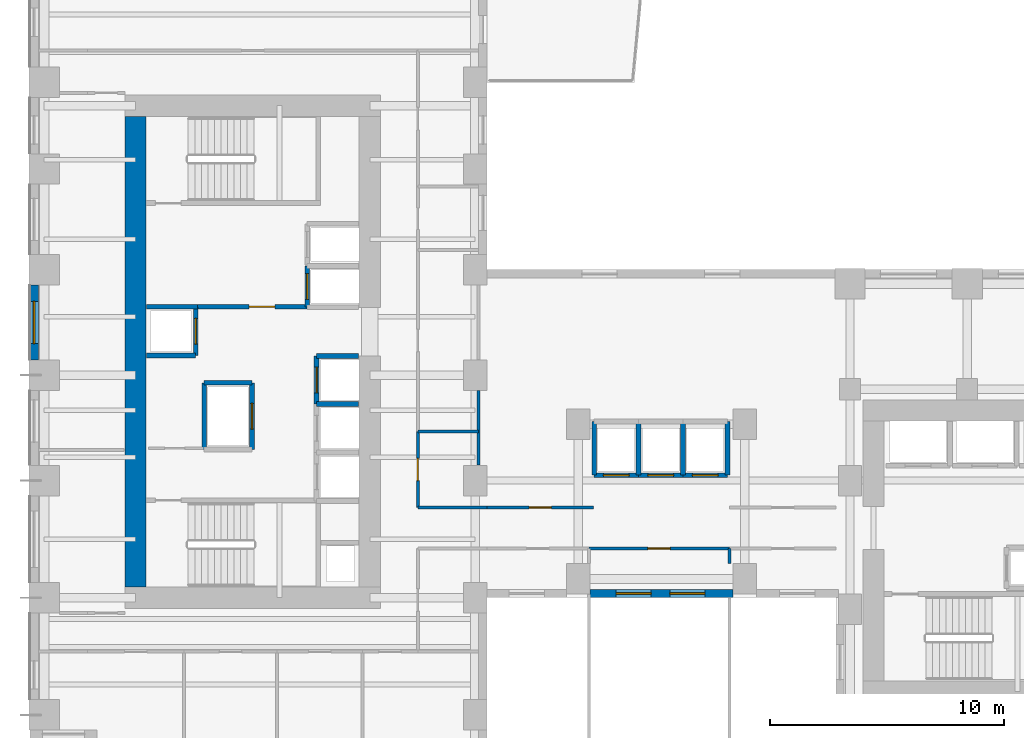
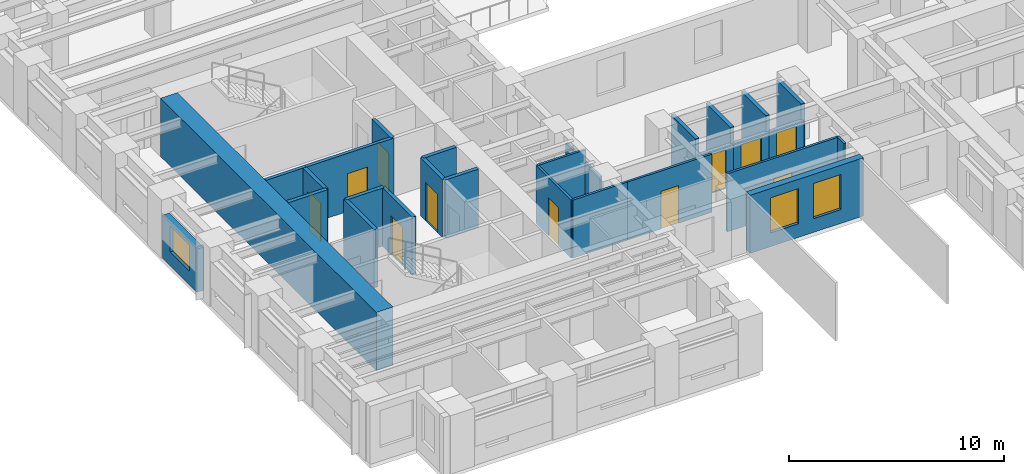
# One storey, part 5 of 11: 28 walls, 11 doors, 3 windows, 14 openings.
"""IFC4 building model written with IfcOpenShell, lengths in metres."""

from ifc_helpers import new_model, si_unit, direction, frame, frame_2d, origin, place, context, subcontext, project, spatial, rectangle, extrude, source, transform, mapped, material, layer, layer_set, type_object, element, fill, save


model = new_model("IFC4")

# Units and contexts
model_context = context("Model", 3, precision=1e-05, world=origin(), true_north=direction((0.0, 1.0)))
body_context = subcontext(model_context, "Body", "Model", "MODEL_VIEW")
ifc_project = project(units=[si_unit("LENGTHUNIT", "METRE"), si_unit("AREAUNIT", "SQUARE_METRE"), si_unit("VOLUMEUNIT", "CUBIC_METRE"), si_unit("PLANEANGLEUNIT", "RADIAN"), si_unit("MASSUNIT", "GRAM", prefix="KILO")], contexts=[model_context])

# Site, building, storey
site_placement = place(None, origin())
site = spatial("IfcSite", under=ifc_project, at=site_placement, CompositionType="ELEMENT")
building_placement = place(site_placement, origin())
building = spatial("IfcBuilding", under=site, at=building_placement, Name="Kharzan Plaza Tower", CompositionType="ELEMENT")
storey_placement = place(building_placement, frame((0.0, 0.0, 69.300048828125)))
storey = spatial("IfcBuildingStorey", under=building, at=storey_placement, Name="L18", CompositionType="ELEMENT", Elevation=69.300048828125)

# Wall, opening, window
ifc_material_1 = material(Name="Concrete C40/50", Category="concrete")
ifc_layer_1 = layer(ifc_material_1, 0.35009765625)
ifc_layer_set_1 = layer_set([ifc_layer_1], Name="Concrete C40/50")
wall_type_1 = type_object("IfcWallType", Name="WL-EXT-MAS-Z1", PredefinedType="SOLIDWALL", material=ifc_layer_set_1)
wall_1_placement = place(storey_placement, frame((0.175048828125, 21.85205078125, 0.0), z_axis=(0.0, 0.0, 1.0), x_axis=(0.0, -1.0, 0.0)))
wall_1 = element("IfcWall", 1, at=wall_1_placement, inside=storey, type_object=wall_type_1, Name="L18 Masonry-Frame Exterior Wall 16", PredefinedType="SOLIDWALL", context=body_context, shape_type="SweptSolid", body=[
    extrude(rectangle(XDim=3.2041015625, YDim=0.35009765625, at=frame_2d((1.60205078125, 0.0))), origin(), (0.0, 0.0, 1.0), 2.449951171875),
])
opening_1_placement = place(wall_1_placement, frame((0.701904296875, 0.0, 0.780029296875)))
opening_1 = element("IfcOpeningElement", 2, at=opening_1_placement, cuts=wall_1, Name="Opening W1", PredefinedType="OPENING", context=body_context, shape_type="SweptSolid", body=[
    extrude(rectangle(XDim=1.800048828125, YDim=1.489990234375, at=frame_2d((0.89990234375, 0.7451171875))), frame((0.0, 0.18505859375, 0.0), z_axis=(0.0, -1.0, 0.0), x_axis=(1.0, 0.0, 0.0)), (0.0, 0.0, 1.0), 0.3701171875),
])
ifc_material_2 = material(Name="Low-E Double Glazing", Category="glass")
window_type_1 = type_object("IfcWindowType", Name="WN-REC-1800x2100", PartitioningType="SINGLE_PANEL", PredefinedType="WINDOW", material=ifc_material_2)
shared_shape_1 = source(origin(), body_context, "Body", "SweptSolid", [
    extrude(rectangle(XDim=1.800048828125, YDim=1.489990234375, at=frame_2d((0.89990234375, 0.7451171875))), frame((0.0, 0.030029296875, 0.0), z_axis=(0.0, -1.0, 0.0), x_axis=(1.0, 0.0, 0.0)), (0.0, 0.0, 1.0), 0.06005859375),
])
window_1_placement = place(opening_1_placement, origin())
window_1 = element("IfcWindow", 3, at=window_1_placement, inside=storey, type_object=window_type_1, Name="L18 Recessed Solar-Control Window 16-1", OverallHeight=1.489990234375, OverallWidth=1.800048828125, PartitioningType="SINGLE_PANEL", PredefinedType="WINDOW", context=body_context, shape_type="MappedRepresentation", body=[
    mapped(shared_shape_1, transform((0.0, 0.0, 0.0), x_axis=(1.0, 0.0, 0.0), y_axis=(0.0, 1.0, 0.0), z_axis=(0.0, 0.0, 1.0))),
])
fill(opening_1, window_1)

# Wall, openings, windows
wall_2_placement = place(storey_placement, frame((23.89794921875, 8.675048828125, 0.0), z_axis=(0.0, 0.0, 1.0), x_axis=(1.0, 0.0, 0.0)))
wall_2 = element("IfcWall", 4, at=wall_2_placement, inside=storey, type_object=wall_type_1, Name="L18 Masonry-Frame Exterior Wall 29", PredefinedType="SOLIDWALL", context=body_context, shape_type="SweptSolid", body=[
    extrude(rectangle(XDim=6.10400390625, YDim=0.35009765625, at=frame_2d((3.052001953125, 0.0))), origin(), (0.0, 0.0, 1.0), 3.304931640625),
])
opening_2_placement = place(wall_2_placement, frame((1.114013671875, 0.0, 0.780029296875)))
opening_2 = element("IfcOpeningElement", 5, at=opening_2_placement, cuts=wall_2, Name="Opening W5", PredefinedType="OPENING", context=body_context, shape_type="SweptSolid", body=[
    extrude(rectangle(XDim=1.5, YDim=2.0, at=frame_2d((0.75, 1.0))), frame((0.0, 0.18505859375, 0.0), z_axis=(0.0, -1.0, 0.0), x_axis=(1.0, 0.0, 0.0)), (0.0, 0.0, 1.0), 0.3701171875),
])
opening_3_placement = place(wall_2_placement, frame((3.407958984375, 0.0, 0.780029296875)))
opening_3 = element("IfcOpeningElement", 6, at=opening_3_placement, cuts=wall_2, Name="Opening W5", PredefinedType="OPENING", context=body_context, shape_type="SweptSolid", body=[
    extrude(rectangle(XDim=1.5, YDim=2.0, at=frame_2d((0.75, 1.0))), frame((0.0, 0.18505859375, 0.0), z_axis=(0.0, -1.0, 0.0), x_axis=(1.0, 0.0, 0.0)), (0.0, 0.0, 1.0), 0.3701171875),
])
window_type_2 = type_object("IfcWindowType", Name="WN-SLT-1500x2000", PartitioningType="SINGLE_PANEL", PredefinedType="WINDOW", material=ifc_material_2)
shared_shape_2 = source(origin(), body_context, "Body", "SweptSolid", [
    extrude(rectangle(XDim=1.5, YDim=2.0, at=frame_2d((0.75, 1.0))), frame((0.0, 0.030029296875, 0.0), z_axis=(0.0, -1.0, 0.0), x_axis=(1.0, 0.0, 0.0)), (0.0, 0.0, 1.0), 0.06005859375),
])
window_2_placement = place(opening_2_placement, origin())
window_2 = element("IfcWindow", 7, at=window_2_placement, inside=storey, type_object=window_type_2, Name="L18 Recessed Solar-Control Window 29-1", OverallHeight=2.0, OverallWidth=1.5, PartitioningType="SINGLE_PANEL", PredefinedType="WINDOW", context=body_context, shape_type="MappedRepresentation", body=[
    mapped(shared_shape_2, transform((0.0, 0.0, 0.0), x_axis=(1.0, 0.0, 0.0), y_axis=(0.0, 1.0, 0.0), z_axis=(0.0, 0.0, 1.0))),
])
fill(opening_2, window_2)
window_3_placement = place(opening_3_placement, origin())
window_3 = element("IfcWindow", 8, at=window_3_placement, inside=storey, type_object=window_type_2, Name="L18 Recessed Solar-Control Window 29-2", OverallHeight=2.0, OverallWidth=1.5, PartitioningType="SINGLE_PANEL", PredefinedType="WINDOW", context=body_context, shape_type="MappedRepresentation", body=[
    mapped(shared_shape_2, transform((0.0, 0.0, 0.0), x_axis=(1.0, 0.0, 0.0), y_axis=(0.0, 1.0, 0.0), z_axis=(0.0, 0.0, 1.0))),
])
fill(opening_3, window_3)

# Wall, opening, door
ifc_layer_2 = layer(ifc_material_1, 0.179931640625)
ifc_layer_set_2 = layer_set([ifc_layer_2], Name="Concrete C40/50")
wall_type_2 = type_object("IfcWallType", Name="WL-INT-FIRE-180", PredefinedType="PARTITIONING", material=ifc_layer_set_2)
wall_3_placement = place(storey_placement, frame((7.14990234375, 20.919921875, 0.0), z_axis=(0.0, 0.0, 1.0), x_axis=(1.0, 0.0, 0.0)))
wall_3 = element("IfcWall", 9, at=wall_3_placement, inside=storey, type_object=wall_type_2, Name="L18 Interior Partition CA-FF-S", PredefinedType="PARTITIONING", context=body_context, shape_type="SweptSolid", body=[
    extrude(rectangle(XDim=4.68017578125, YDim=0.179931640625, at=frame_2d((2.340087890625, 0.0))), origin(), (0.0, 0.0, 1.0), 3.304931640625),
])
opening_4_placement = place(wall_3_placement, frame((2.199951171875, 0.0, 0.0)))
opening_4 = element("IfcOpeningElement", 10, at=opening_4_placement, cuts=wall_3, Name="Opening FD1", PredefinedType="OPENING", context=body_context, shape_type="SweptSolid", body=[
    extrude(rectangle(XDim=1.10009765625, YDim=2.14990234375, at=frame_2d((0.550048828125, 1.074951171875))), frame((0.0, 0.099853515625, 0.0), z_axis=(0.0, -1.0, 0.0), x_axis=(1.0, 0.0, 0.0)), (0.0, 0.0, 1.0), 0.199951171875),
])
ifc_material_3 = material(Name="Fire-Rated Acoustic Vision-Panel Steel", Category="steel")
door_type_1 = type_object("IfcDoorType", Name="DR-FIRE-LOBBY", OperationType="NOTDEFINED", PredefinedType="DOOR", material=ifc_material_3)
shared_shape_3 = source(origin(), body_context, "Body", "SweptSolid", [
    extrude(rectangle(XDim=1.10009765625, YDim=2.14990234375, at=frame_2d((0.550048828125, 1.074951171875))), frame((0.0, 0.02490234375, 0.0), z_axis=(0.0, -1.0, 0.0), x_axis=(1.0, 0.0, 0.0)), (0.0, 0.0, 1.0), 0.050048828125),
])
door_1_placement = place(opening_4_placement, origin())
door_1 = element("IfcDoor", 11, at=door_1_placement, inside=storey, type_object=door_type_1, Name="L18 Firefighting Lobby Door", OperationType="SINGLE_SWING_LEFT", OverallHeight=2.14990234375, OverallWidth=1.10009765625, PredefinedType="DOOR", context=body_context, shape_type="MappedRepresentation", body=[
    mapped(shared_shape_3, transform((0.0, 0.0, 0.0), x_axis=(1.0, 0.0, 0.0), y_axis=(0.0, 1.0, 0.0), z_axis=(0.0, 0.0, 1.0))),
])
fill(opening_4, door_1)

ifc_material_4 = material(Name="Fire-Rated Gypsum Board Partition", Category="gypsum")
ifc_layer_3 = layer(ifc_material_4, 0.125)
ifc_layer_set_3 = layer_set([ifc_layer_3], Name="Fire-Rated Gypsum Board Partition")
wall_type_3 = type_object("IfcWallType", Name="WL-INT-PART-125", PredefinedType="PARTITIONING", material=ifc_layer_set_3)
wall_4_placement = place(storey_placement, frame((16.550048828125, 12.35009765625, 0.0), z_axis=(0.0, 0.0, 1.0), x_axis=(0.0, 1.0, 0.0)))
wall_4 = element("IfcWall", 12, at=wall_4_placement, inside=storey, type_object=wall_type_3, Name="L18 Interior Partition SH-AEWN1", PredefinedType="PARTITIONING", context=body_context, shape_type="SweptSolid", body=[
    extrude(rectangle(XDim=3.25, YDim=0.125, at=frame_2d((1.625, 0.0))), origin(), (0.0, 0.0, 1.0), 3.304931640625),
])
opening_5_placement = place(wall_4_placement, frame((1.14990234375, 0.0, 0.0)))
opening_5 = element("IfcOpeningElement", 13, at=opening_5_placement, cuts=wall_4, Name="Opening OD1", PredefinedType="OPENING", context=body_context, shape_type="SweptSolid", body=[
    extrude(rectangle(XDim=0.949951171875, YDim=2.14990234375, at=frame_2d((0.47509765625, 1.074951171875))), frame((0.0, 0.072509765625, 0.0), z_axis=(0.0, -1.0, 0.0), x_axis=(1.0, 0.0, 0.0)), (0.0, 0.0, 1.0), 0.14501953125),
])
ifc_material_5 = material(Name="Acoustic Solid-Core Stained Oak", Category="timber")
door_type_2 = type_object("IfcDoorType", Name="DR-OFF-SINGLE", OperationType="NOTDEFINED", PredefinedType="DOOR", material=ifc_material_5)
shared_shape_4 = source(origin(), body_context, "Body", "SweptSolid", [
    extrude(rectangle(XDim=0.949951171875, YDim=2.14990234375, at=frame_2d((0.47509765625, 1.074951171875))), frame((0.0, 0.02490234375, 0.0), z_axis=(0.0, -1.0, 0.0), x_axis=(1.0, 0.0, 0.0)), (0.0, 0.0, 1.0), 0.050048828125),
])
door_2_placement = place(opening_5_placement, origin())
door_2 = element("IfcDoor", 14, at=door_2_placement, inside=storey, type_object=door_type_2, Name="L18 Slot Collaboration Door", OperationType="SINGLE_SWING_RIGHT", OverallHeight=2.14990234375, OverallWidth=0.949951171875, PredefinedType="DOOR", context=body_context, shape_type="MappedRepresentation", body=[
    mapped(shared_shape_4, transform((0.0, 0.0, 0.0), x_axis=(1.0, 0.0, 0.0), y_axis=(0.0, 1.0, 0.0), z_axis=(0.0, 0.0, 1.0))),
])
fill(opening_5, door_2)

wall_5_placement = place(storey_placement, frame((19.5, 12.35009765625, 0.0), z_axis=(0.0, 0.0, 1.0), x_axis=(1.0, 0.0, 0.0)))
wall_5 = element("IfcWall", 15, at=wall_5_placement, inside=storey, type_object=wall_type_3, Name="L18 Interior Partition SH-SPNW1", PredefinedType="PARTITIONING", context=body_context, shape_type="SweptSolid", body=[
    extrude(rectangle(XDim=4.550048828125, YDim=0.125, at=frame_2d((2.27490234375, 0.0))), origin(), (0.0, 0.0, 1.0), 3.304931640625),
])
opening_6_placement = place(wall_5_placement, frame((1.800048828125, 0.0, 0.0)))
opening_6 = element("IfcOpeningElement", 16, at=opening_6_placement, cuts=wall_5, Name="Opening OD1", PredefinedType="OPENING", context=body_context, shape_type="SweptSolid", body=[
    extrude(rectangle(XDim=0.949951171875, YDim=2.14990234375, at=frame_2d((0.47509765625, 1.074951171875))), frame((0.0, 0.072509765625, 0.0), z_axis=(0.0, -1.0, 0.0), x_axis=(1.0, 0.0, 0.0)), (0.0, 0.0, 1.0), 0.14501953125),
])
door_3_placement = place(opening_6_placement, origin())
door_3 = element("IfcDoor", 17, at=door_3_placement, inside=storey, type_object=door_type_2, Name="L18 North-West Spine Door", OperationType="SINGLE_SWING_LEFT", OverallHeight=2.14990234375, OverallWidth=0.949951171875, PredefinedType="DOOR", context=body_context, shape_type="MappedRepresentation", body=[
    mapped(shared_shape_4, transform((0.0, 0.0, 0.0), x_axis=(1.0, 0.0, 0.0), y_axis=(0.0, 1.0, 0.0), z_axis=(0.0, 0.0, 1.0))),
])
fill(opening_6, door_3)

wall_6_placement = place(storey_placement, frame((23.85009765625, 10.60009765625, 0.0), z_axis=(0.0, 0.0, 1.0), x_axis=(1.0, 0.0, 0.0)))
wall_6 = element("IfcWall", 18, at=wall_6_placement, inside=storey, type_object=wall_type_3, Name="L18 Interior Partition SH-SPS2", PredefinedType="PARTITIONING", context=body_context, shape_type="SweptSolid", body=[
    extrude(rectangle(XDim=6.0, YDim=0.125, at=frame_2d((3.0, 0.0))), origin(), (0.0, 0.0, 1.0), 3.304931640625),
])
opening_7_placement = place(wall_6_placement, frame((2.52490234375, 0.0, 0.0)))
opening_7 = element("IfcOpeningElement", 19, at=opening_7_placement, cuts=wall_6, Name="Opening OD1", PredefinedType="OPENING", context=body_context, shape_type="SweptSolid", body=[
    extrude(rectangle(XDim=0.949951171875, YDim=2.14990234375, at=frame_2d((0.47509765625, 1.074951171875))), frame((0.0, 0.072509765625, 0.0), z_axis=(0.0, -1.0, 0.0), x_axis=(1.0, 0.0, 0.0)), (0.0, 0.0, 1.0), 0.14501953125),
])
door_4_placement = place(opening_7_placement, origin())
door_4 = element("IfcDoor", 20, at=door_4_placement, inside=storey, type_object=door_type_2, Name="L18 Spine Studio 2 Door", OperationType="SINGLE_SWING_LEFT", OverallHeight=2.14990234375, OverallWidth=0.949951171875, PredefinedType="DOOR", context=body_context, shape_type="MappedRepresentation", body=[
    mapped(shared_shape_4, transform((0.0, 0.0, 0.0), x_axis=(1.0, 0.0, 0.0), y_axis=(0.0, 1.0, 0.0), z_axis=(0.0, 0.0, 1.0))),
])
fill(opening_7, door_4)

ifc_layer_4 = layer(ifc_material_1, 0.199951171875)
ifc_layer_set_4 = layer_set([ifc_layer_4], Name="Concrete C40/50")
wall_type_4 = type_object("IfcWallType", Name="WL-INT-SHAFT-200", PredefinedType="PARTITIONING", material=ifc_layer_set_4)
wall_7_placement = place(storey_placement, frame((11.830078125, 20.89990234375, 0.0), z_axis=(0.0, 0.0, 1.0), x_axis=(0.0, 1.0, 0.0)))
wall_7 = element("IfcWall", 21, at=wall_7_placement, inside=storey, type_object=wall_type_4, Name="L18 Interior Partition SHF-FFL-1-W", PredefinedType="PARTITIONING", context=body_context, shape_type="SweptSolid", body=[
    extrude(rectangle(XDim=1.760009765625, YDim=0.199951171875, at=frame_2d((0.8798828125, 0.0))), origin(), (0.0, 0.0, 1.0), 3.304931640625),
])
opening_8_placement = place(wall_7_placement, frame((0.330078125, 0.0, 0.0)))
opening_8 = element("IfcOpeningElement", 22, at=opening_8_placement, cuts=wall_7, Name="Opening LD", PredefinedType="OPENING", context=body_context, shape_type="SweptSolid", body=[
    extrude(rectangle(XDim=1.10009765625, YDim=2.199951171875, at=frame_2d((0.550048828125, 1.10009765625))), frame((0.0, 0.10986328125, 0.0), z_axis=(0.0, -1.0, 0.0), x_axis=(1.0, 0.0, 0.0)), (0.0, 0.0, 1.0), 0.219970703125),
])
ifc_material_6 = material(Name="Brushed Stainless Steel", Category="steel")
door_type_3 = type_object("IfcDoorType", Name="DR-LIFT-SLIDE", OperationType="SLIDING_TO_LEFT", PredefinedType="DOOR", material=ifc_material_6)
shared_shape_5 = source(origin(), body_context, "Body", "SweptSolid", [
    extrude(rectangle(XDim=1.10009765625, YDim=2.199951171875, at=frame_2d((0.550048828125, 1.10009765625))), frame((0.0, 0.02490234375, 0.0), z_axis=(0.0, -1.0, 0.0), x_axis=(1.0, 0.0, 0.0)), (0.0, 0.0, 1.0), 0.050048828125),
])
door_5_placement = place(opening_8_placement, origin())
door_5 = element("IfcDoor", 23, at=door_5_placement, inside=storey, type_object=door_type_3, Name="L18 Firefighting Lift FFL-1 Sliding Landing Door", OperationType="SLIDING_TO_LEFT", OverallHeight=2.199951171875, OverallWidth=1.10009765625, PredefinedType="DOOR", context=body_context, shape_type="MappedRepresentation", body=[
    mapped(shared_shape_5, transform((0.0, 0.0, 0.0), x_axis=(1.0, 0.0, 0.0), y_axis=(0.0, 1.0, 0.0), z_axis=(0.0, 0.0, 1.0))),
])
fill(opening_8, door_5)

wall_8_placement = place(storey_placement, frame((12.22998046875, 16.77001953125, 0.0), z_axis=(0.0, 0.0, 1.0), x_axis=(0.0, 1.0, 0.0)))
wall_8 = element("IfcWall", 24, at=wall_8_placement, inside=storey, type_object=wall_type_4, Name="L18 Interior Partition SHF-PL-H3-W", PredefinedType="PARTITIONING", context=body_context, shape_type="SweptSolid", body=[
    extrude(rectangle(XDim=2.050048828125, YDim=0.199951171875, at=frame_2d((1.02490234375, 0.0))), origin(), (0.0, 0.0, 1.0), 3.304931640625),
])
opening_9_placement = place(wall_8_placement, frame((0.47509765625, 0.0, 0.0)))
opening_9 = element("IfcOpeningElement", 25, at=opening_9_placement, cuts=wall_8, Name="Opening LD", PredefinedType="OPENING", context=body_context, shape_type="SweptSolid", body=[
    extrude(rectangle(XDim=1.10009765625, YDim=2.199951171875, at=frame_2d((0.550048828125, 1.10009765625))), frame((0.0, 0.10986328125, 0.0), z_axis=(0.0, -1.0, 0.0), x_axis=(1.0, 0.0, 0.0)), (0.0, 0.0, 1.0), 0.219970703125),
])
door_6_placement = place(opening_9_placement, origin())
door_6 = element("IfcDoor", 26, at=door_6_placement, inside=storey, type_object=door_type_3, Name="L18 High-Rise Passenger Lift PL-H3 Sliding Landing Door", OperationType="SLIDING_TO_LEFT", OverallHeight=2.199951171875, OverallWidth=1.10009765625, PredefinedType="DOOR", context=body_context, shape_type="MappedRepresentation", body=[
    mapped(shared_shape_5, transform((0.0, 0.0, 0.0), x_axis=(1.0, 0.0, 0.0), y_axis=(0.0, 1.0, 0.0), z_axis=(0.0, 0.0, 1.0))),
])
fill(opening_9, door_6)

wall_9_placement = place(storey_placement, frame((7.070068359375, 18.840087890625, 0.0), z_axis=(0.0, 0.0, 1.0), x_axis=(0.0, 1.0, 0.0)))
wall_9 = element("IfcWall", 27, at=wall_9_placement, inside=storey, type_object=wall_type_4, Name="L18 Interior Partition SHF-PL-H4-E", PredefinedType="PARTITIONING", context=body_context, shape_type="SweptSolid", body=[
    extrude(rectangle(XDim=2.059814453125, YDim=0.199951171875, at=frame_2d((1.02978515625, 0.0))), origin(), (0.0, 0.0, 1.0), 3.304931640625),
])
opening_10_placement = place(wall_9_placement, frame((0.47998046875, 0.0, 0.0)))
opening_10 = element("IfcOpeningElement", 28, at=opening_10_placement, cuts=wall_9, Name="Opening LD", PredefinedType="OPENING", context=body_context, shape_type="SweptSolid", body=[
    extrude(rectangle(XDim=1.10009765625, YDim=2.199951171875, at=frame_2d((0.550048828125, 1.10009765625))), frame((0.0, 0.10986328125, 0.0), z_axis=(0.0, -1.0, 0.0), x_axis=(1.0, 0.0, 0.0)), (0.0, 0.0, 1.0), 0.219970703125),
])
door_7_placement = place(opening_10_placement, origin())
door_7 = element("IfcDoor", 29, at=door_7_placement, inside=storey, type_object=door_type_3, Name="L18 High-Rise Passenger Lift PL-H4 Sliding Landing Door", OperationType="SLIDING_TO_LEFT", OverallHeight=2.199951171875, OverallWidth=1.10009765625, PredefinedType="DOOR", context=body_context, shape_type="MappedRepresentation", body=[
    mapped(shared_shape_5, transform((0.0, 0.0, 0.0), x_axis=(1.0, 0.0, 0.0), y_axis=(0.0, 1.0, 0.0), z_axis=(0.0, 0.0, 1.0))),
])
fill(opening_10, door_7)

wall_10_placement = place(storey_placement, frame((24.080078125, 13.72998046875, 0.0), z_axis=(0.0, 0.0, 1.0), x_axis=(1.0, 0.0, 0.0)))
wall_10 = element("IfcWall", 30, at=wall_10_placement, inside=storey, type_object=wall_type_4, Name="L18 Interior Partition SHF-PL-M1-S", PredefinedType="PARTITIONING", context=body_context, shape_type="SweptSolid", body=[
    extrude(rectangle(XDim=1.889892578125, YDim=0.199951171875, at=frame_2d((0.94482421875, 0.0))), origin(), (0.0, 0.0, 1.0), 2.385986328125),
])
opening_11_placement = place(wall_10_placement, frame((0.39501953125, 0.0, 0.0)))
opening_11 = element("IfcOpeningElement", 31, at=opening_11_placement, cuts=wall_10, Name="Opening LD", PredefinedType="OPENING", context=body_context, shape_type="SweptSolid", body=[
    extrude(rectangle(XDim=1.10009765625, YDim=2.199951171875, at=frame_2d((0.550048828125, 1.10009765625))), frame((0.0, 0.10986328125, 0.0), z_axis=(0.0, -1.0, 0.0), x_axis=(1.0, 0.0, 0.0)), (0.0, 0.0, 1.0), 0.219970703125),
])
door_8_placement = place(opening_11_placement, origin())
door_8 = element("IfcDoor", 32, at=door_8_placement, inside=storey, type_object=door_type_3, Name="L18 Mid-Rise Passenger Lift PL-M1 Sliding Landing Door", OperationType="SLIDING_TO_LEFT", OverallHeight=2.199951171875, OverallWidth=1.10009765625, PredefinedType="DOOR", context=body_context, shape_type="MappedRepresentation", body=[
    mapped(shared_shape_5, transform((0.0, 0.0, 0.0), x_axis=(1.0, 0.0, 0.0), y_axis=(0.0, 1.0, 0.0), z_axis=(0.0, 0.0, 1.0))),
])
fill(opening_11, door_8)

wall_11_placement = place(storey_placement, frame((25.97998046875, 13.72998046875, 0.0), z_axis=(0.0, 0.0, 1.0), x_axis=(1.0, 0.0, 0.0)))
wall_11 = element("IfcWall", 33, at=wall_11_placement, inside=storey, type_object=wall_type_4, Name="L18 Interior Partition SHF-PL-M2-S", PredefinedType="PARTITIONING", context=body_context, shape_type="SweptSolid", body=[
    extrude(rectangle(XDim=1.89013671875, YDim=0.199951171875, at=frame_2d((0.945068359375, 0.0))), origin(), (0.0, 0.0, 1.0), 2.385986328125),
])
opening_12_placement = place(wall_11_placement, frame((0.39501953125, 0.0, 0.0)))
opening_12 = element("IfcOpeningElement", 34, at=opening_12_placement, cuts=wall_11, Name="Opening LD", PredefinedType="OPENING", context=body_context, shape_type="SweptSolid", body=[
    extrude(rectangle(XDim=1.10009765625, YDim=2.199951171875, at=frame_2d((0.550048828125, 1.10009765625))), frame((0.0, 0.10986328125, 0.0), z_axis=(0.0, -1.0, 0.0), x_axis=(1.0, 0.0, 0.0)), (0.0, 0.0, 1.0), 0.219970703125),
])
door_9_placement = place(opening_12_placement, origin())
door_9 = element("IfcDoor", 35, at=door_9_placement, inside=storey, type_object=door_type_3, Name="L18 Mid-Rise Passenger Lift PL-M2 Sliding Landing Door", OperationType="SLIDING_TO_LEFT", OverallHeight=2.199951171875, OverallWidth=1.10009765625, PredefinedType="DOOR", context=body_context, shape_type="MappedRepresentation", body=[
    mapped(shared_shape_5, transform((0.0, 0.0, 0.0), x_axis=(1.0, 0.0, 0.0), y_axis=(0.0, 1.0, 0.0), z_axis=(0.0, 0.0, 1.0))),
])
fill(opening_12, door_9)

wall_12_placement = place(storey_placement, frame((27.8798828125, 13.72998046875, 0.0), z_axis=(0.0, 0.0, 1.0), x_axis=(1.0, 0.0, 0.0)))
wall_12 = element("IfcWall", 36, at=wall_12_placement, inside=storey, type_object=wall_type_4, Name="L18 Interior Partition SHF-PL-M3-S", PredefinedType="PARTITIONING", context=body_context, shape_type="SweptSolid", body=[
    extrude(rectangle(XDim=1.89013671875, YDim=0.199951171875, at=frame_2d((0.945068359375, 0.0))), origin(), (0.0, 0.0, 1.0), 2.385986328125),
])
opening_13_placement = place(wall_12_placement, frame((0.39501953125, 0.0, 0.0)))
opening_13 = element("IfcOpeningElement", 37, at=opening_13_placement, cuts=wall_12, Name="Opening LD", PredefinedType="OPENING", context=body_context, shape_type="SweptSolid", body=[
    extrude(rectangle(XDim=1.10009765625, YDim=2.199951171875, at=frame_2d((0.550048828125, 1.10009765625))), frame((0.0, 0.10986328125, 0.0), z_axis=(0.0, -1.0, 0.0), x_axis=(1.0, 0.0, 0.0)), (0.0, 0.0, 1.0), 0.219970703125),
])
door_10_placement = place(opening_13_placement, origin())
door_10 = element("IfcDoor", 38, at=door_10_placement, inside=storey, type_object=door_type_3, Name="L18 Mid-Rise Passenger Lift PL-M3 Sliding Landing Door", OperationType="SLIDING_TO_LEFT", OverallHeight=2.199951171875, OverallWidth=1.10009765625, PredefinedType="DOOR", context=body_context, shape_type="MappedRepresentation", body=[
    mapped(shared_shape_5, transform((0.0, 0.0, 0.0), x_axis=(1.0, 0.0, 0.0), y_axis=(0.0, 1.0, 0.0), z_axis=(0.0, 0.0, 1.0))),
])
fill(opening_13, door_10)

wall_13_placement = place(storey_placement, frame((9.469970703125, 14.830078125, 0.0), z_axis=(0.0, 0.0, 1.0), x_axis=(0.0, 1.0, 0.0)))
wall_13 = element("IfcWall", 39, at=wall_13_placement, inside=storey, type_object=wall_type_4, Name="L18 Interior Partition SHF-SVL-1-E", PredefinedType="PARTITIONING", context=body_context, shape_type="SweptSolid", body=[
    extrude(rectangle(XDim=2.83984375, YDim=0.199951171875, at=frame_2d((1.419921875, 0.0))), origin(), (0.0, 0.0, 1.0), 3.304931640625),
])
opening_14_placement = place(wall_13_placement, frame((0.8701171875, 0.0, 0.0)))
opening_14 = element("IfcOpeningElement", 40, at=opening_14_placement, cuts=wall_13, Name="Opening LD", PredefinedType="OPENING", context=body_context, shape_type="SweptSolid", body=[
    extrude(rectangle(XDim=1.10009765625, YDim=2.199951171875, at=frame_2d((0.550048828125, 1.10009765625))), frame((0.0, 0.10986328125, 0.0), z_axis=(0.0, -1.0, 0.0), x_axis=(1.0, 0.0, 0.0)), (0.0, 0.0, 1.0), 0.219970703125),
])
door_11_placement = place(opening_14_placement, origin())
door_11 = element("IfcDoor", 41, at=door_11_placement, inside=storey, type_object=door_type_3, Name="L18 Service Lift SVL-1 Sliding Landing Door", OperationType="SLIDING_TO_LEFT", OverallHeight=2.199951171875, OverallWidth=1.10009765625, PredefinedType="DOOR", context=body_context, shape_type="MappedRepresentation", body=[
    mapped(shared_shape_5, transform((0.0, 0.0, 0.0), x_axis=(1.0, 0.0, 0.0), y_axis=(0.0, 1.0, 0.0), z_axis=(0.0, 0.0, 1.0))),
])
fill(opening_14, door_11)

# Walls
ifc_material_7 = material(Name="Concrete C60/75", Category="concrete")
ifc_layer_5 = layer(ifc_material_7, 0.89990234375)
ifc_layer_set_5 = layer_set([ifc_layer_5], Name="Concrete C60/75")
wall_type_5 = type_object("IfcWallType", Name="WL-CORE-900", PredefinedType="SHEAR", material=ifc_layer_set_5)
shared_shape_6 = source(origin(), body_context, "Body", "SweptSolid", [
    extrude(rectangle(XDim=20.10009765625, YDim=0.89990234375, at=frame_2d((10.050048828125, 0.0))), origin(), (0.0, 0.0, 1.0), 3.320068359375),
])
wall_14_placement = place(storey_placement, frame((4.5, 8.949951171875, 0.0), z_axis=(0.0, 0.0, 1.0), x_axis=(0.0, 1.0, 0.0)))
element("IfcWall", 42, at=wall_14_placement, inside=storey, type_object=wall_type_5, Name="L18 CORE-A west RC shear wall", PredefinedType="SHEAR", context=body_context, shape_type="MappedRepresentation", body=[
    mapped(shared_shape_6, transform((0.0, 0.0, 0.0), x_axis=(1.0, 0.0, 0.0), y_axis=(0.0, 1.0, 0.0), z_axis=(0.0, 0.0, 1.0))),
])
shared_shape_7 = source(origin(), body_context, "Body", "SweptSolid", [
    extrude(rectangle(XDim=2.169921875, YDim=0.179931640625, at=frame_2d((1.0849609375, 0.0))), origin(), (0.0, 0.0, 1.0), 3.304931640625),
])
wall_15_placement = place(storey_placement, frame((4.97998046875, 20.919921875, 0.0), z_axis=(0.0, 0.0, 1.0), x_axis=(1.0, 0.0, 0.0)))
element("IfcWall", 43, at=wall_15_placement, inside=storey, type_object=wall_type_2, Name="L18 Interior Partition CA-FF-SW", PredefinedType="PARTITIONING", context=body_context, shape_type="MappedRepresentation", body=[
    mapped(shared_shape_7, transform((0.0, 0.0, 0.0), x_axis=(1.0, 0.0, 0.0), y_axis=(0.0, 1.0, 0.0), z_axis=(0.0, 0.0, 1.0))),
])
shared_shape_8 = source(origin(), body_context, "Body", "SweptSolid", [
    extrude(rectangle(XDim=2.599853515625, YDim=0.125, at=frame_2d((1.2998046875, 0.0))), origin(), (0.0, 0.0, 1.0), 3.304931640625),
])
wall_16_placement = place(storey_placement, frame((16.550048828125, 15.60009765625, 0.0), z_axis=(0.0, 0.0, 1.0), x_axis=(1.0, 0.0, 0.0)))
element("IfcWall", 44, at=wall_16_placement, inside=storey, type_object=wall_type_3, Name="L18 Interior Partition SH-AEH-156", PredefinedType="PARTITIONING", context=body_context, shape_type="MappedRepresentation", body=[
    mapped(shared_shape_8, transform((0.0, 0.0, 0.0), x_axis=(1.0, 0.0, 0.0), y_axis=(0.0, 1.0, 0.0), z_axis=(0.0, 0.0, 1.0))),
])
shared_shape_9 = source(origin(), body_context, "Body", "SweptSolid", [
    extrude(rectangle(XDim=3.18017578125, YDim=0.125, at=frame_2d((1.590087890625, 0.0))), origin(), (0.0, 0.0, 1.0), 2.60986328125),
])
wall_17_placement = place(storey_placement, frame((19.14990234375, 14.159912109375, 0.0), z_axis=(0.0, 0.0, 1.0), x_axis=(0.0, 1.0, 0.0)))
element("IfcWall", 45, at=wall_17_placement, inside=storey, type_object=wall_type_3, Name="L18 Interior Partition SH-AEN-DIV-S1", PredefinedType="PARTITIONING", context=body_context, shape_type="MappedRepresentation", body=[
    mapped(shared_shape_9, transform((0.0, 0.0, 0.0), x_axis=(1.0, 0.0, 0.0), y_axis=(0.0, 1.0, 0.0), z_axis=(0.0, 0.0, 1.0))),
])
shared_shape_10 = source(origin(), body_context, "Body", "SweptSolid", [
    extrude(rectangle(XDim=2.949951171875, YDim=0.125, at=frame_2d((1.47509765625, 0.0))), origin(), (0.0, 0.0, 1.0), 3.304931640625),
])
wall_18_placement = place(storey_placement, frame((16.550048828125, 12.35009765625, 0.0), z_axis=(0.0, 0.0, 1.0), x_axis=(1.0, 0.0, 0.0)))
element("IfcWall", 46, at=wall_18_placement, inside=storey, type_object=wall_type_3, Name="L18 Interior Partition SH-SPNW0", PredefinedType="PARTITIONING", context=body_context, shape_type="MappedRepresentation", body=[
    mapped(shared_shape_10, transform((0.0, 0.0, 0.0), x_axis=(1.0, 0.0, 0.0), y_axis=(0.0, 1.0, 0.0), z_axis=(0.0, 0.0, 1.0))),
])
shared_shape_11 = source(origin(), body_context, "Body", "SweptSolid", [
    extrude(rectangle(XDim=0.64013671875, YDim=0.125, at=frame_2d((0.320068359375, 0.0))), origin(), (0.0, 0.0, 1.0), 3.304931640625),
])
wall_19_placement = place(storey_placement, frame((29.85009765625, 9.9599609375, 0.0), z_axis=(0.0, 0.0, 1.0), x_axis=(0.0, 1.0, 0.0)))
element("IfcWall", 47, at=wall_19_placement, inside=storey, type_object=wall_type_3, Name="L18 Interior Partition SH-SPSV2-S2", PredefinedType="PARTITIONING", context=body_context, shape_type="MappedRepresentation", body=[
    mapped(shared_shape_11, transform((0.0, 0.0, 0.0), x_axis=(1.0, 0.0, 0.0), y_axis=(0.0, 1.0, 0.0), z_axis=(0.0, 0.0, 1.0))),
])
shared_shape_12 = source(origin(), body_context, "Body", "SweptSolid", [
    extrude(rectangle(XDim=1.7900390625, YDim=0.199951171875, at=frame_2d((0.89501953125, 0.0))), origin(), (0.0, 0.0, 1.0), 3.304931640625),
])
for number, where, z_axis, x_axis, name in (
    (48, (12.22998046875, 16.77001953125, 0.0), (0.0, 0.0, 1.0), (1.0, 0.0, 0.0), "L18 Interior Partition SHF-PL-H2-N"),
    (49, (12.22998046875, 18.820068359375, 0.0), (0.0, 0.0, 1.0), (1.0, 0.0, 0.0), "L18 Interior Partition SHF-PL-H3-N"),
):
    element("IfcWall", number, at=place(storey_placement, frame(where, z_axis=z_axis, x_axis=x_axis)), inside=storey, type_object=wall_type_4, Name=name, PredefinedType="PARTITIONING", context=body_context, shape_type="MappedRepresentation", body=[
        mapped(shared_shape_12, transform((0.0, 0.0, 0.0), x_axis=(1.0, 0.0, 0.0), y_axis=(0.0, 1.0, 0.0), z_axis=(0.0, 0.0, 1.0))),
    ])
shared_shape_13 = source(origin(), body_context, "Body", "SweptSolid", [
    extrude(rectangle(XDim=2.090087890625, YDim=0.199951171875, at=frame_2d((1.044921875, 0.0))), origin(), (0.0, 0.0, 1.0), 3.304931640625),
])
wall_20_placement = place(storey_placement, frame((4.97998046875, 18.840087890625, 0.0), z_axis=(0.0, 0.0, 1.0), x_axis=(1.0, 0.0, 0.0)))
element("IfcWall", 50, at=wall_20_placement, inside=storey, type_object=wall_type_4, Name="L18 Interior Partition SHF-PL-H4-S", PredefinedType="PARTITIONING", context=body_context, shape_type="MappedRepresentation", body=[
    mapped(shared_shape_13, transform((0.0, 0.0, 0.0), x_axis=(1.0, 0.0, 0.0), y_axis=(0.0, 1.0, 0.0), z_axis=(0.0, 0.0, 1.0))),
])
shared_shape_14 = source(origin(), body_context, "Body", "SweptSolid", [
    extrude(rectangle(XDim=2.2900390625, YDim=0.199951171875, at=frame_2d((1.14501953125, 0.0))), origin(), (0.0, 0.0, 1.0), 3.304931640625),
])
for number, where, z_axis, x_axis, name in (
    (51, (25.969970703125, 13.72998046875, 0.0), (0.0, 0.0, 1.0), (0.0, 1.0, 0.0), "L18 Interior Partition SHF-PL-M1-E"),
    (52, (24.080078125, 13.72998046875, 0.0), (0.0, 0.0, 1.0), (0.0, 1.0, 0.0), "L18 Interior Partition SHF-PL-M1-W"),
    (53, (27.8701171875, 13.72998046875, 0.0), (0.0, 0.0, 1.0), (0.0, 1.0, 0.0), "L18 Interior Partition SHF-PL-M2-E"),
    (54, (29.77001953125, 13.72998046875, 0.0), (0.0, 0.0, 1.0), (0.0, 1.0, 0.0), "L18 Interior Partition SHF-PL-M3-E"),
):
    element("IfcWall", number, at=place(storey_placement, frame(where, z_axis=z_axis, x_axis=x_axis)), inside=storey, type_object=wall_type_4, Name=name, PredefinedType="PARTITIONING", context=body_context, shape_type="MappedRepresentation", body=[
        mapped(shared_shape_14, transform((0.0, 0.0, 0.0), x_axis=(1.0, 0.0, 0.0), y_axis=(0.0, 1.0, 0.0), z_axis=(0.0, 0.0, 1.0))),
    ])
shared_shape_15 = source(origin(), body_context, "Body", "SweptSolid", [
    extrude(rectangle(XDim=2.0400390625, YDim=0.199951171875, at=frame_2d((1.02001953125, 0.0))), origin(), (0.0, 0.0, 1.0), 3.304931640625),
])
wall_21_placement = place(storey_placement, frame((7.429931640625, 17.669921875, 0.0), z_axis=(0.0, 0.0, 1.0), x_axis=(1.0, 0.0, 0.0)))
element("IfcWall", 55, at=wall_21_placement, inside=storey, type_object=wall_type_4, Name="L18 Interior Partition SHF-SVL-1-N", PredefinedType="PARTITIONING", context=body_context, shape_type="MappedRepresentation", body=[
    mapped(shared_shape_15, transform((0.0, 0.0, 0.0), x_axis=(1.0, 0.0, 0.0), y_axis=(0.0, 1.0, 0.0), z_axis=(0.0, 0.0, 1.0))),
])
shared_shape_16 = source(origin(), body_context, "Body", "SweptSolid", [
    extrude(rectangle(XDim=2.83984375, YDim=0.199951171875, at=frame_2d((1.419921875, 0.0))), origin(), (0.0, 0.0, 1.0), 3.304931640625),
])
wall_22_placement = place(storey_placement, frame((7.429931640625, 14.830078125, 0.0), z_axis=(0.0, 0.0, 1.0), x_axis=(0.0, 1.0, 0.0)))
element("IfcWall", 56, at=wall_22_placement, inside=storey, type_object=wall_type_4, Name="L18 Interior Partition SHF-SVL-1-W", PredefinedType="PARTITIONING", context=body_context, shape_type="MappedRepresentation", body=[
    mapped(shared_shape_16, transform((0.0, 0.0, 0.0), x_axis=(1.0, 0.0, 0.0), y_axis=(0.0, 1.0, 0.0), z_axis=(0.0, 0.0, 1.0))),
])

save(model, "model.ifc")
